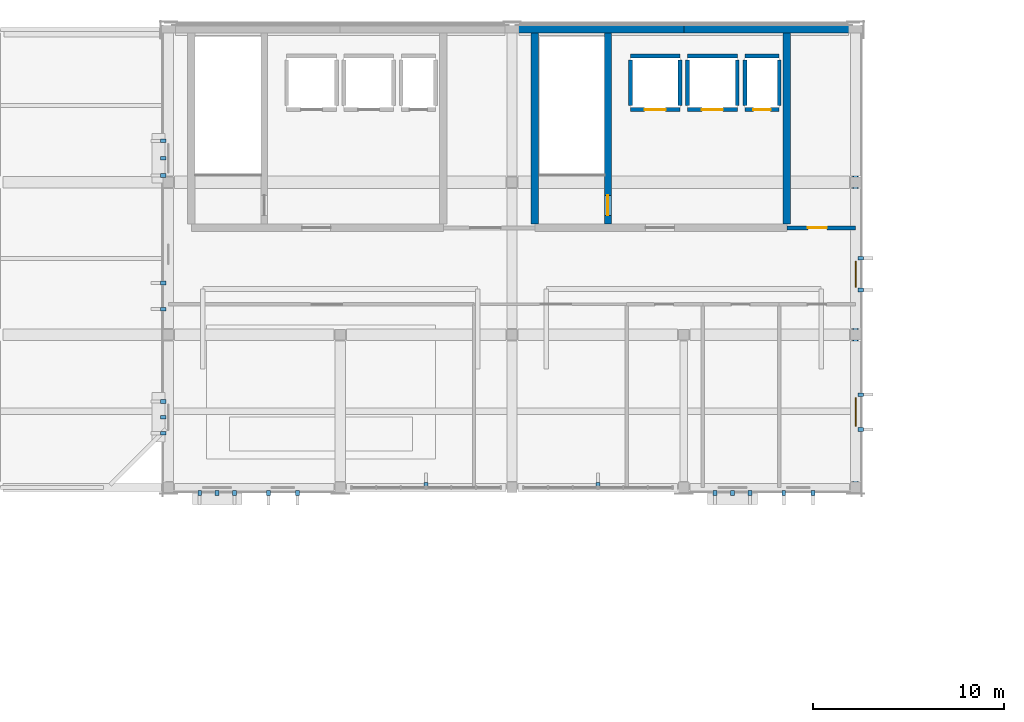
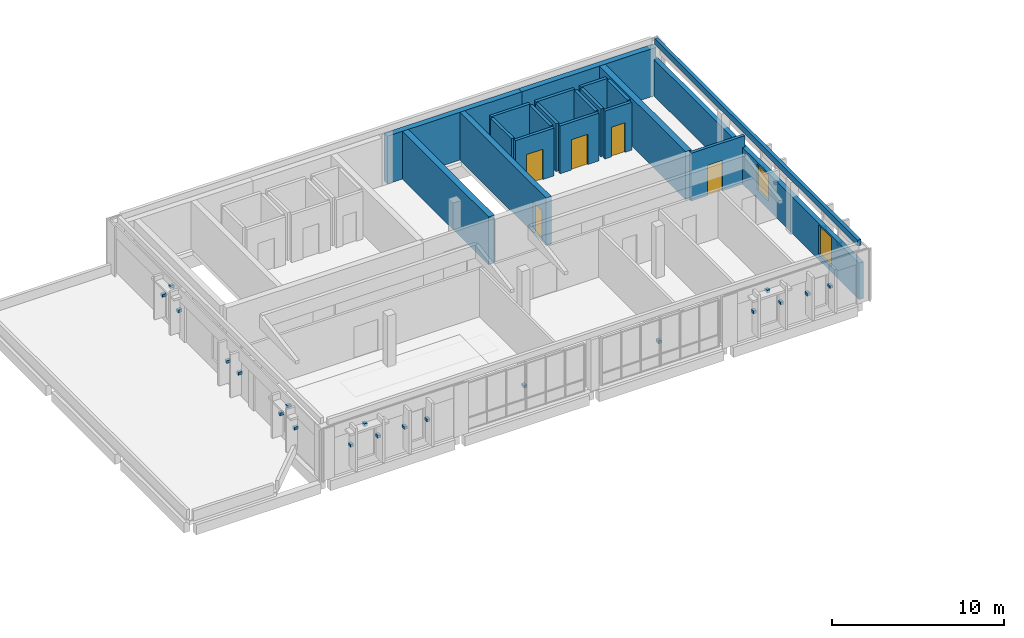
# One storey, part 9 of 12: 24 discrete accessories, 20 walls, 5 doors, 2 windows, 7 openings.
"""IFC4 building model written with IfcOpenShell, lengths in metres."""

import ifcopenshell
import ifcopenshell.guid

model = None  # the IFC model being written
_history = None  # IfcOwnerHistory: only IFC2X3 demands one
_inside = {}  # id of a spatial element -> (the spatial element, [elements in it])
_under = {}  # id of a project, library or spatial element -> (it, [spatial elements below it])
_declared = {}  # id of a project -> (the project, [libraries it declares])
_typed = {}  # id of a type object -> (the type object, [elements of that type])
_made_of = {}  # id of a material, layer set ... -> (it, [elements and type objects made of it])


def new_model(schema):
    """Start an empty IFC model of exactly this schema.

    Asked for "IFC4X3", IfcOpenShell would pick the latest addendum, in which some entities
    have other attributes; the version numbers below select the first issue.
    IFC2X3 requires an IfcOwnerHistory on every rooted entity: one is made here for all.
    """
    global model, _history
    if schema == "IFC4X3":
        model = ifcopenshell.file(schema_version=(4, 3, 0, 0))
    else:
        model = ifcopenshell.file(schema=schema)
    _inside.clear()
    _under.clear()
    _declared.clear()
    _typed.clear()
    _made_of.clear()
    _history = None
    if model.schema == "IFC2X3":
        org = make("IfcOrganization", Name="unknown")
        user = make(
            "IfcPersonAndOrganization",
            ThePerson=make("IfcPerson", FamilyName="unknown"),
            TheOrganization=org,
        )
        app = make(
            "IfcApplication",
            ApplicationDeveloper=org,
            Version="unknown",
            ApplicationFullName="unknown",
            ApplicationIdentifier="unknown",
        )
        _history = make(
            "IfcOwnerHistory",
            OwningUser=user,
            OwningApplication=app,
            ChangeAction="ADDED",
            CreationDate=0,
        )
    return model


def make(cls, **values):
    """One entity of the class cls with the attributes given. An attribute that is None is left unset."""
    return model.create_entity(
        cls, **{name: value for name, value in values.items() if value is not None}
    )


def rooted(cls, **values):
    """An entity with a GlobalId (a new one), such as an element, a storey or a relation."""
    return make(cls, GlobalId=ifcopenshell.guid.new(), OwnerHistory=_history, **values)


def si_unit(unit_type, name, prefix=None):
    """IfcSIUnit, for example si_unit("LENGTHUNIT", "METRE", prefix="MILLI")."""
    return make("IfcSIUnit", UnitType=unit_type, Prefix=prefix, Name=name)


def assignment(units):
    """IfcUnitAssignment: the units of a project."""
    return None if units is None else make("IfcUnitAssignment", Units=units)


def point(xyz):
    """IfcCartesianPoint."""
    return None if xyz is None else make("IfcCartesianPoint", Coordinates=xyz)


def direction(xyz):
    """IfcDirection."""
    return None if xyz is None else make("IfcDirection", DirectionRatios=xyz)


def frame(location, z_axis=None, x_axis=None):
    """IfcAxis2Placement3D, a coordinate frame: its origin and axes. An axis left out is left unset."""
    return make(
        "IfcAxis2Placement3D",
        Location=point(location),
        Axis=direction(z_axis),
        RefDirection=direction(x_axis),
    )


def frame_2d(location, x_axis=None):
    """IfcAxis2Placement2D, a coordinate frame in the plane: its origin and x axis."""
    return make(
        "IfcAxis2Placement2D", Location=point(location), RefDirection=direction(x_axis)
    )


def origin():
    """The frame at (0, 0, 0) with its axes left unset."""
    return frame((0.0, 0.0, 0.0))


def origin_2d():
    """The frame at (0, 0) in the plane with its x axis left unset."""
    return frame_2d((0.0, 0.0))


def place(relative_to, where):
    """IfcLocalPlacement: puts the frame where relative to a parent placement (None: the world)."""
    return make(
        "IfcLocalPlacement", PlacementRelTo=relative_to, RelativePlacement=where
    )


def context(
    kind, dimensions, precision=None, world=None, true_north=None, identifier=None
):
    """IfcGeometricRepresentationContext, for example the 3D "Model" context."""
    return make(
        "IfcGeometricRepresentationContext",
        ContextIdentifier=identifier,
        ContextType=kind,
        CoordinateSpaceDimension=dimensions,
        Precision=precision,
        WorldCoordinateSystem=world,
        TrueNorth=true_north,
    )


def subcontext(parent, identifier, kind, view, scale=None):
    """IfcGeometricRepresentationSubContext, for example "Body" below "Model"."""
    return make(
        "IfcGeometricRepresentationSubContext",
        ContextIdentifier=identifier,
        ContextType=kind,
        ParentContext=parent,
        TargetScale=scale,
        TargetView=view,
    )


def project(units=None, contexts=None):
    """IfcProject with its units and contexts."""
    return rooted(
        "IfcProject",
        Name="project",
        RepresentationContexts=contexts,
        UnitsInContext=assignment(units),
    )


def spatial(cls, under=None, at=None, **own):
    """A site, building, storey or space (cls), placed at a placement, below another one or the project."""
    s = rooted(cls, ObjectPlacement=at, **own)
    if under is not None:
        _under.setdefault(under.id(), (under, []))[1].append(s)
    return s


def profile(cls, at=None, kind="AREA", **sizes):
    """A parametric profile (cls). Its sizes go by their IFC names, for example OverallWidth=200.0."""
    return make(cls, ProfileType=kind, Position=at, **sizes)


def rectangle(**sizes):
    """IfcRectangleProfileDef."""
    return profile("IfcRectangleProfileDef", **sizes)


def extrude(swept, where, along, depth):
    """IfcExtrudedAreaSolid: the profile swept, set in the frame where, extruded along a direction by depth."""
    return make(
        "IfcExtrudedAreaSolid",
        SweptArea=swept,
        Position=where,
        ExtrudedDirection=direction(along),
        Depth=depth,
    )


def shape(context_of_items, identifier, shape_type, items):
    """IfcShapeRepresentation: the items that make up one representation, for example the "Body"."""
    return make(
        "IfcShapeRepresentation",
        ContextOfItems=context_of_items,
        RepresentationIdentifier=identifier,
        RepresentationType=shape_type,
        Items=items,
    )


def material(Name=None, Category=None):
    """IfcMaterial."""
    return make("IfcMaterial", Name=Name, Category=Category)


def layer(
    of_material, thickness, ventilated=None, Name=None, Category=None, Priority=None
):
    """IfcMaterialLayer: one layer of a wall or slab, of a material (None: an air gap)."""
    return make(
        "IfcMaterialLayer",
        Material=of_material,
        LayerThickness=thickness,
        IsVentilated=ventilated,
        Name=Name,
        Category=Category,
        Priority=Priority,
    )


def layer_set(layers, Name=None):
    """IfcMaterialLayerSet."""
    return make("IfcMaterialLayerSet", MaterialLayers=layers, LayerSetName=Name)


def made_of(thing, what):
    """Note that an element or type object is made of a material, layer set ...; save() writes the relation."""
    if what is not None:
        _made_of.setdefault(what.id(), (what, []))[1].append(thing)
    return thing


def type_object(cls, material=None, **own):
    """A type object (cls), such as IfcWallType, which elements share."""
    return made_of(rooted(cls, **own), material)


def element(
    cls,
    number,
    at=None,
    inside=None,
    cuts=None,
    type_object=None,
    material=None,
    context=None,
    identifier="Body",
    shape_type=None,
    held_by="IfcProductDefinitionShape",
    body=None,
    shapes=None,
    **own,
):
    """One element of the class cls, such as IfcWall. Its Tag is "e" and its number.

    at: its placement. inside: the storey or other place that contains it. cuts: it is an
    opening in that element (IfcRelVoidsElement). A single representation is given by context,
    identifier, shape_type and body (its items); several are given by shapes. held_by: the class
    of the entity that holds the representations. save() writes the other relations.
    """
    e = rooted(cls, Tag="e%d" % number, ObjectPlacement=at, **own)
    if body is not None:
        shapes = [shape(context, identifier, shape_type, body)]
    if shapes is not None:
        e.Representation = make(held_by, Representations=shapes)
    if inside is not None:
        _inside.setdefault(inside.id(), (inside, []))[1].append(e)
    if cuts is not None:
        rooted(
            "IfcRelVoidsElement", RelatingBuildingElement=cuts, RelatedOpeningElement=e
        )
    if type_object is not None:
        _typed.setdefault(type_object.id(), (type_object, []))[1].append(e)
    return made_of(e, material)


def fill(opening, filler):
    """IfcRelFillsElement: the door or window that sits in an opening."""
    return rooted(
        "IfcRelFillsElement",
        RelatingOpeningElement=opening,
        RelatedBuildingElement=filler,
    )


def aggregate(whole, parts):
    """IfcRelAggregates: a whole, such as a stair, and the parts it consists of."""
    return rooted("IfcRelAggregates", RelatingObject=whole, RelatedObjects=parts)


def save(model, path):
    """Write the relations noted so far, then the file.

    IfcRelAggregates (storeys below a building ...), IfcRelContainedInSpatialStructure (elements
    in a storey), IfcRelDefinesByType, IfcRelAssociatesMaterial and IfcRelDeclares: one each for
    every whole, place, type object, material and project.
    """
    for whole, parts in _under.values():
        aggregate(whole, parts)
    for where, things in _inside.values():
        rooted(
            "IfcRelContainedInSpatialStructure",
            RelatedElements=things,
            RelatingStructure=where,
        )
    for kind, things in _typed.values():
        rooted("IfcRelDefinesByType", RelatedObjects=things, RelatingType=kind)
    for what, things in _made_of.values():
        rooted("IfcRelAssociatesMaterial", RelatedObjects=things, RelatingMaterial=what)
    for by, libraries in _declared.values():
        rooted("IfcRelDeclares", RelatingContext=by, RelatedDefinitions=libraries)
    model.write(path)


model = new_model("IFC4")

# Units and contexts
model_context = context("Model", 3, precision=1e-05, world=origin(), true_north=direction((0.0, 1.0)))
body_context = subcontext(model_context, "Body", "Model", "MODEL_VIEW")
ifc_project = project(units=[si_unit("LENGTHUNIT", "METRE"), si_unit("AREAUNIT", "SQUARE_METRE"), si_unit("VOLUMEUNIT", "CUBIC_METRE"), si_unit("PLANEANGLEUNIT", "RADIAN"), si_unit("MASSUNIT", "GRAM", prefix="KILO")], contexts=[model_context])

# Site, building, storey
site_placement = place(None, origin())
site = spatial("IfcSite", under=ifc_project, at=site_placement, CompositionType="ELEMENT")
building_placement = place(site_placement, origin())
building = spatial("IfcBuilding", under=site, at=building_placement, Name="Vervanel Yard Central Library", CompositionType="ELEMENT")
storey_placement = place(building_placement, frame((0.0, 0.0, 20.260009765625)))
storey = spatial("IfcBuildingStorey", under=building, at=storey_placement, Name="L05", CompositionType="ELEMENT", Elevation=20.260009765625)

# Wall, openings, windows
ifc_material_1 = material(Name="Precast concrete C45/55", Category="concrete")
ifc_layer_1 = layer(ifc_material_1, 0.300048828125, Category="concrete")
ifc_layer_set_1 = layer_set([ifc_layer_1], Name="Precast concrete C45/55")
wall_type_1 = type_object("IfcWallType", Name="Bush-Hammered Precast Cladding Wall 300", PredefinedType="SOLIDWALL", material=ifc_layer_set_1)
wall_1_placement = place(storey_placement, frame((81.0, 90.0, 0.0), z_axis=(0.0, 0.0, 1.0), x_axis=(0.0, 1.0, 0.0)))
wall_1 = element("IfcWall", 1, at=wall_1_placement, inside=storey, type_object=wall_type_1, Name="L05 Bush-Hammered Precast Cladding Wall 300 EWALL-L05-0079", PredefinedType="SOLIDWALL", context=body_context, shape_type="SweptSolid", body=[
    extrude(rectangle(XDim=24.0, YDim=0.300048828125, at=frame_2d((12.0, 0.0))), origin(), (0.0, 0.0, 1.0), 2.5849609375),
])
opening_1_placement = place(wall_1_placement, frame((3.199951171875, 0.0, 0.364990234375)))
opening_1 = element("IfcOpeningElement", 2, at=opening_1_placement, cuts=wall_1, Name="Opening WN-02", PredefinedType="OPENING", context=body_context, shape_type="SweptSolid", body=[
    extrude(rectangle(XDim=1.5, YDim=2.10009765625, at=frame_2d((0.75, 1.050048828125))), frame((0.0, 0.159912109375, 0.0), z_axis=(0.0, -1.0, 0.0), x_axis=(1.0, 0.0, 0.0)), (0.0, 0.0, 1.0), 0.320068359375),
])
opening_2_placement = place(wall_1_placement, frame((10.5, 0.0, 0.614990234375)))
opening_2 = element("IfcOpeningElement", 3, at=opening_2_placement, cuts=wall_1, Name="Opening WN-17", PredefinedType="OPENING", context=body_context, shape_type="SweptSolid", body=[
    extrude(rectangle(XDim=1.35009765625, YDim=1.85009765625, at=frame_2d((0.675048828125, 0.925048828125))), frame((0.0, 0.159912109375, 0.0), z_axis=(0.0, -1.0, 0.0), x_axis=(1.0, 0.0, 0.0)), (0.0, 0.0, 1.0), 0.320068359375),
])
ifc_material_2 = material(Name="Double low-E laminated solar-control glass", Category="glass")
window_type_1 = type_object("IfcWindowType", Name="Archive Office Window 1350x1850", PartitioningType="SINGLE_PANEL", PredefinedType="WINDOW", material=ifc_material_2)
window_1_placement = place(opening_2_placement, origin())
window_1 = element("IfcWindow", 4, at=window_1_placement, inside=storey, type_object=window_type_1, Name="L05 Archive Office Window 1350x1850 108", OverallHeight=1.85009765625, OverallWidth=1.35009765625, PartitioningType="SINGLE_PANEL", PredefinedType="WINDOW", context=body_context, shape_type="SweptSolid", body=[
    extrude(rectangle(XDim=1.35009765625, YDim=1.85009765625, at=frame_2d((0.675048828125, 0.925048828125))), frame((0.0, 0.030029296875, 0.0), z_axis=(0.0, -1.0, 0.0), x_axis=(1.0, 0.0, 0.0)), (0.0, 0.0, 1.0), 0.06005859375),
])
fill(opening_2, window_1)
window_type_2 = type_object("IfcWindowType", Name="Reading Bay Window 1500x2100", PartitioningType="SINGLE_PANEL", PredefinedType="WINDOW", material=ifc_material_2)
window_2_placement = place(opening_1_placement, origin())
window_2 = element("IfcWindow", 5, at=window_2_placement, inside=storey, type_object=window_type_2, Name="L05 Reading Bay Window 1500x2100 107", OverallHeight=2.10009765625, OverallWidth=1.5, PartitioningType="SINGLE_PANEL", PredefinedType="WINDOW", context=body_context, shape_type="SweptSolid", body=[
    extrude(rectangle(XDim=1.5, YDim=2.10009765625, at=frame_2d((0.75, 1.050048828125))), frame((0.0, 0.030029296875, 0.0), z_axis=(0.0, -1.0, 0.0), x_axis=(1.0, 0.0, 0.0)), (0.0, 0.0, 1.0), 0.06005859375),
])
fill(opening_1, window_2)

# Walls
ifc_material_3 = material(Name="Concrete C45/55", Category="concrete")
ifc_layer_2 = layer(ifc_material_3, 0.39990234375, Category="concrete")
ifc_layer_set_2 = layer_set([ifc_layer_2], Name="Concrete C45/55")
wall_type_2 = type_object("IfcWallType", Name="Core Primary Shear Wall 400", PredefinedType="SHEAR", material=ifc_layer_set_2)
for number, where, z_axis, x_axis, name in (
    (6, (64.199951171875, 103.800048828125, 0.0), (0.0, 0.0, 1.0), (0.0, 1.0, 0.0), "L05 CORE-B Shear Wall W"),
    (7, (77.39990234375, 103.800048828125, 0.0), (0.0, 0.0, 1.0), (0.0, 1.0, 0.0), "L05 CORE-B Shear Wall E"),
):
    element("IfcWall", number, at=place(storey_placement, frame(where, z_axis=z_axis, x_axis=x_axis)), inside=storey, type_object=wall_type_2, Name=name, PredefinedType="SHEAR", context=body_context, shape_type="SweptSolid", body=[
        extrude(rectangle(XDim=10.010009765625, YDim=0.39990234375, at=frame_2d((5.0048828125, 0.0))), origin(), (0.0, 0.0, 1.0), 3.389892578125),
    ])

# Wall, opening, door
ifc_layer_3 = layer(ifc_material_3, 0.35009765625, Category="concrete")
ifc_layer_set_3 = layer_set([ifc_layer_3], Name="Concrete C45/55")
wall_type_3 = type_object("IfcWallType", Name="Core Secondary Shear Wall 350", PredefinedType="SHEAR", material=ifc_layer_set_3)
wall_2_placement = place(storey_placement, frame((68.02490234375, 103.800048828125, 0.0), z_axis=(0.0, 0.0, 1.0), x_axis=(0.0, 1.0, 0.0)))
wall_2 = element("IfcWall", 8, at=wall_2_placement, inside=storey, type_object=wall_type_3, Name="L05 CORE-B Stair Shaft Wall", PredefinedType="SHEAR", context=body_context, shape_type="SweptSolid", body=[
    extrude(rectangle(XDim=10.010009765625, YDim=0.35009765625, at=frame_2d((5.0048828125, 0.0))), origin(), (0.0, 0.0, 1.0), 3.389892578125),
])
opening_3_placement = place(wall_2_placement, frame((0.449951171875, 0.0, 0.0)))
opening_3 = element("IfcOpeningElement", 9, at=opening_3_placement, cuts=wall_2, Name="Opening DR-F01", PredefinedType="OPENING", context=body_context, shape_type="SweptSolid", body=[
    extrude(rectangle(XDim=1.050048828125, YDim=2.199951171875, at=frame_2d((0.52490234375, 1.10009765625))), frame((0.0, 0.18505859375, 0.0), z_axis=(0.0, -1.0, 0.0), x_axis=(1.0, 0.0, 0.0)), (0.0, 0.0, 1.0), 0.3701171875),
])
ifc_material_4 = material(Name="Galvanized painted steelwork ASTM A500 Grade C", Category="steel")
door_type_1 = type_object("IfcDoorType", Name="Fire-Rated Stair Exit Door 1050x2200", OperationType="NOTDEFINED", PredefinedType="DOOR", material=ifc_material_4)
door_1_placement = place(opening_3_placement, origin())
door_1 = element("IfcDoor", 10, at=door_1_placement, inside=storey, type_object=door_type_1, Name="L05 CORE-B Stair Door", OperationType="SINGLE_SWING_RIGHT", OverallHeight=2.199951171875, OverallWidth=1.050048828125, PredefinedType="DOOR", context=body_context, shape_type="SweptSolid", body=[
    extrude(rectangle(XDim=1.050048828125, YDim=2.199951171875, at=frame_2d((0.52490234375, 1.10009765625))), frame((0.0, 0.02490234375, 0.0), z_axis=(0.0, -1.0, 0.0), x_axis=(1.0, 0.0, 0.0)), (0.0, 0.0, 1.0), 0.050048828125),
])
fill(opening_3, door_1)

# Walls
ifc_layer_4 = layer(ifc_material_3, 0.3798828125, Category="concrete")
ifc_layer_set_4 = layer_set([ifc_layer_4], Name="Concrete C45/55")
wall_type_4 = type_object("IfcWallType", Name="Exterior Bearing Concrete Spine Wall 380", PredefinedType="SOLIDWALL", material=ifc_layer_set_4)
for number, where, z_axis, x_axis, name in (
    (11, (63.0, 114.0, 0.0), (0.0, 0.0, 1.0), (1.0, 0.0, 0.0), "L05 Exterior Bearing Concrete Spine Wall 380 EWALL-L05-0074"),
    (12, (72.0, 114.0, 0.0), (0.0, 0.0, 1.0), (1.0, 0.0, 0.0), "L05 Exterior Bearing Concrete Spine Wall 380 EWALL-L05-0075"),
):
    element("IfcWall", number, at=place(storey_placement, frame(where, z_axis=z_axis, x_axis=x_axis)), inside=storey, type_object=wall_type_4, Name=name, PredefinedType="SOLIDWALL", context=body_context, shape_type="SweptSolid", body=[
        extrude(rectangle(XDim=9.0, YDim=0.3798828125, at=frame_2d((4.5, 0.0))), origin(), (0.0, 0.0, 1.0), 3.389892578125),
    ])
ifc_material_5 = material(Name="Concrete C40/50", Category="concrete")
ifc_layer_5 = layer(ifc_material_5, 0.219970703125, Category="concrete")
ifc_layer_set_5 = layer_set([ifc_layer_5], Name="Concrete C40/50")
wall_type_5 = type_object("IfcWallType", Name="Main Roof Concrete Parapet 220", PredefinedType="PARAPET", material=ifc_layer_set_5)
wall_3_placement = place(storey_placement, frame((81.0, 90.219970703125, 3.639892578125), z_axis=(0.0, 0.0, 1.0), x_axis=(0.0, 1.0, 0.0)))
element("IfcWall", 13, at=wall_3_placement, inside=storey, type_object=wall_type_5, Name="RF Roof Parapet 43", PredefinedType="PARAPET", context=body_context, shape_type="SweptSolid", body=[
    extrude(rectangle(XDim=23.56005859375, YDim=0.219970703125, at=frame_2d((11.780029296875, 0.0))), origin(), (0.0, 0.0, 1.0), 0.420166015625),
])

# Wall, opening, door
ifc_layer_6 = layer(ifc_material_5, 0.199951171875, Category="concrete")
ifc_layer_set_6 = layer_set([ifc_layer_6], Name="Concrete C40/50")
wall_type_6 = type_object("IfcWallType", Name="Shaft & Plant Rated Wall 200", PredefinedType="PARTITIONING", material=ifc_layer_set_6)
wall_4_placement = place(storey_placement, frame((69.199951171875, 109.800048828125, 0.0), z_axis=(0.0, 0.0, 1.0), x_axis=(1.0, 0.0, 0.0)))
wall_4 = element("IfcWall", 14, at=wall_4_placement, inside=storey, type_object=wall_type_6, Name="L05 CORE-B-L05-EL-03 Shaft Wall S", PredefinedType="PARTITIONING", context=body_context, shape_type="SweptSolid", body=[
    extrude(rectangle(XDim=2.60009765625, YDim=0.199951171875, at=frame_2d((1.300048828125, 0.0))), origin(), (0.0, 0.0, 1.0), 3.389892578125),
])
opening_4_placement = place(wall_4_placement, frame((0.75, 0.0, 0.0)))
opening_4 = element("IfcOpeningElement", 15, at=opening_4_placement, cuts=wall_4, Name="Opening LD-01", PredefinedType="OPENING", context=body_context, shape_type="SweptSolid", body=[
    extrude(rectangle(XDim=1.10009765625, YDim=2.14990234375, at=frame_2d((0.550048828125, 1.074951171875))), frame((0.0, 0.10986328125, 0.0), z_axis=(0.0, -1.0, 0.0), x_axis=(1.0, 0.0, 0.0)), (0.0, 0.0, 1.0), 0.219970703125),
])
ifc_material_6 = material(Name="Brushed stainless steel AISI 316", Category="steel")
door_type_2 = type_object("IfcDoorType", Name="Passenger Lift Sliding Landing Door 1100x2150", OperationType="NOTDEFINED", PredefinedType="DOOR", material=ifc_material_6)
door_2_placement = place(opening_4_placement, origin())
door_2 = element("IfcDoor", 16, at=door_2_placement, inside=storey, type_object=door_type_2, Name="L05 Lift EL-03 Landing Door", OperationType="SLIDING_TO_LEFT", OverallHeight=2.14990234375, OverallWidth=1.10009765625, PredefinedType="DOOR", context=body_context, shape_type="SweptSolid", body=[
    extrude(rectangle(XDim=1.10009765625, YDim=2.14990234375, at=frame_2d((0.550048828125, 1.074951171875))), frame((0.0, 0.02490234375, 0.0), z_axis=(0.0, -1.0, 0.0), x_axis=(1.0, 0.0, 0.0)), (0.0, 0.0, 1.0), 0.050048828125),
])
fill(opening_4, door_2)

# Walls
wall_5_placement = place(storey_placement, frame((69.199951171875, 112.60009765625, 0.0), z_axis=(0.0, 0.0, 1.0), x_axis=(1.0, 0.0, 0.0)))
element("IfcWall", 17, at=wall_5_placement, inside=storey, type_object=wall_type_6, Name="L05 CORE-B-L05-EL-03 Shaft Wall N", PredefinedType="PARTITIONING", context=body_context, shape_type="SweptSolid", body=[
    extrude(rectangle(XDim=2.60009765625, YDim=0.199951171875, at=frame_2d((1.300048828125, 0.0))), origin(), (0.0, 0.0, 1.0), 3.389892578125),
])
for number, where, z_axis, x_axis, name in (
    (18, (69.199951171875, 110.0, 0.0), (0.0, 0.0, 1.0), (0.0, 1.0, 0.0), "L05 CORE-B-L05-EL-03 Shaft Wall W"),
    (19, (71.800048828125, 110.0, 0.0), (0.0, 0.0, 1.0), (0.0, 1.0, 0.0), "L05 CORE-B-L05-EL-03 Shaft Wall E"),
):
    element("IfcWall", number, at=place(storey_placement, frame(where, z_axis=z_axis, x_axis=x_axis)), inside=storey, type_object=wall_type_6, Name=name, PredefinedType="PARTITIONING", context=body_context, shape_type="SweptSolid", body=[
        extrude(rectangle(XDim=2.39990234375, YDim=0.199951171875, at=frame_2d((1.199951171875, 0.0))), origin(), (0.0, 0.0, 1.0), 3.389892578125),
    ])

# Wall, opening, door
wall_6_placement = place(storey_placement, frame((72.199951171875, 109.800048828125, 0.0), z_axis=(0.0, 0.0, 1.0), x_axis=(1.0, 0.0, 0.0)))
wall_6 = element("IfcWall", 20, at=wall_6_placement, inside=storey, type_object=wall_type_6, Name="L05 CORE-B-L05-EL-04 Shaft Wall S", PredefinedType="PARTITIONING", context=body_context, shape_type="SweptSolid", body=[
    extrude(rectangle(XDim=2.60009765625, YDim=0.199951171875, at=frame_2d((1.300048828125, 0.0))), origin(), (0.0, 0.0, 1.0), 3.389892578125),
])
opening_5_placement = place(wall_6_placement, frame((0.75, 0.0, 0.0)))
opening_5 = element("IfcOpeningElement", 21, at=opening_5_placement, cuts=wall_6, Name="Opening LD-01", PredefinedType="OPENING", context=body_context, shape_type="SweptSolid", body=[
    extrude(rectangle(XDim=1.10009765625, YDim=2.14990234375, at=frame_2d((0.550048828125, 1.074951171875))), frame((0.0, 0.10986328125, 0.0), z_axis=(0.0, -1.0, 0.0), x_axis=(1.0, 0.0, 0.0)), (0.0, 0.0, 1.0), 0.219970703125),
])
door_3_placement = place(opening_5_placement, origin())
door_3 = element("IfcDoor", 22, at=door_3_placement, inside=storey, type_object=door_type_2, Name="L05 Lift EL-04 Landing Door", OperationType="SLIDING_TO_RIGHT", OverallHeight=2.14990234375, OverallWidth=1.10009765625, PredefinedType="DOOR", context=body_context, shape_type="SweptSolid", body=[
    extrude(rectangle(XDim=1.10009765625, YDim=2.14990234375, at=frame_2d((0.550048828125, 1.074951171875))), frame((0.0, 0.02490234375, 0.0), z_axis=(0.0, -1.0, 0.0), x_axis=(1.0, 0.0, 0.0)), (0.0, 0.0, 1.0), 0.050048828125),
])
fill(opening_5, door_3)

# Walls
wall_7_placement = place(storey_placement, frame((72.199951171875, 112.60009765625, 0.0), z_axis=(0.0, 0.0, 1.0), x_axis=(1.0, 0.0, 0.0)))
element("IfcWall", 23, at=wall_7_placement, inside=storey, type_object=wall_type_6, Name="L05 CORE-B-L05-EL-04 Shaft Wall N", PredefinedType="PARTITIONING", context=body_context, shape_type="SweptSolid", body=[
    extrude(rectangle(XDim=2.60009765625, YDim=0.199951171875, at=frame_2d((1.300048828125, 0.0))), origin(), (0.0, 0.0, 1.0), 3.389892578125),
])
for number, where, z_axis, x_axis, name in (
    (24, (72.199951171875, 110.0, 0.0), (0.0, 0.0, 1.0), (0.0, 1.0, 0.0), "L05 CORE-B-L05-EL-04 Shaft Wall W"),
    (25, (74.800048828125, 110.0, 0.0), (0.0, 0.0, 1.0), (0.0, 1.0, 0.0), "L05 CORE-B-L05-EL-04 Shaft Wall E"),
):
    element("IfcWall", number, at=place(storey_placement, frame(where, z_axis=z_axis, x_axis=x_axis)), inside=storey, type_object=wall_type_6, Name=name, PredefinedType="PARTITIONING", context=body_context, shape_type="SweptSolid", body=[
        extrude(rectangle(XDim=2.39990234375, YDim=0.199951171875, at=frame_2d((1.199951171875, 0.0))), origin(), (0.0, 0.0, 1.0), 3.389892578125),
    ])

# Wall, opening, door
wall_8_placement = place(storey_placement, frame((75.199951171875, 109.800048828125, 0.0), z_axis=(0.0, 0.0, 1.0), x_axis=(1.0, 0.0, 0.0)))
wall_8 = element("IfcWall", 26, at=wall_8_placement, inside=storey, type_object=wall_type_6, Name="L05 CORE-B-L05-RIS Shaft Wall S", PredefinedType="PARTITIONING", context=body_context, shape_type="SweptSolid", body=[
    extrude(rectangle(XDim=1.800048828125, YDim=0.199951171875, at=frame_2d((0.89990234375, 0.0))), origin(), (0.0, 0.0, 1.0), 3.389892578125),
])
opening_6_placement = place(wall_8_placement, frame((0.449951171875, 0.0, 0.0)))
opening_6 = element("IfcOpeningElement", 27, at=opening_6_placement, cuts=wall_8, Name="Opening DR-03", PredefinedType="OPENING", context=body_context, shape_type="SweptSolid", body=[
    extrude(rectangle(XDim=0.89990234375, YDim=2.10009765625, at=frame_2d((0.449951171875, 1.050048828125))), frame((0.0, 0.10986328125, 0.0), z_axis=(0.0, -1.0, 0.0), x_axis=(1.0, 0.0, 0.0)), (0.0, 0.0, 1.0), 0.219970703125),
])
door_type_3 = type_object("IfcDoorType", Name="Interior Riser Access Door 900x2100", OperationType="NOTDEFINED", PredefinedType="DOOR", material=ifc_material_4)
door_4_placement = place(opening_6_placement, origin())
door_4 = element("IfcDoor", 28, at=door_4_placement, inside=storey, type_object=door_type_3, Name="L05 CORE-B Riser Access Door", OperationType="SINGLE_SWING_RIGHT", OverallHeight=2.10009765625, OverallWidth=0.89990234375, PredefinedType="DOOR", context=body_context, shape_type="SweptSolid", body=[
    extrude(rectangle(XDim=0.89990234375, YDim=2.10009765625, at=frame_2d((0.449951171875, 1.050048828125))), frame((0.0, 0.02490234375, 0.0), z_axis=(0.0, -1.0, 0.0), x_axis=(1.0, 0.0, 0.0)), (0.0, 0.0, 1.0), 0.050048828125),
])
fill(opening_6, door_4)

# Walls
wall_9_placement = place(storey_placement, frame((75.199951171875, 112.60009765625, 0.0), z_axis=(0.0, 0.0, 1.0), x_axis=(1.0, 0.0, 0.0)))
element("IfcWall", 29, at=wall_9_placement, inside=storey, type_object=wall_type_6, Name="L05 CORE-B-L05-RIS Shaft Wall N", PredefinedType="PARTITIONING", context=body_context, shape_type="SweptSolid", body=[
    extrude(rectangle(XDim=1.800048828125, YDim=0.199951171875, at=frame_2d((0.89990234375, 0.0))), origin(), (0.0, 0.0, 1.0), 3.389892578125),
])
for number, where, z_axis, x_axis, name in (
    (30, (75.199951171875, 110.0, 0.0), (0.0, 0.0, 1.0), (0.0, 1.0, 0.0), "L05 CORE-B-L05-RIS Shaft Wall W"),
    (31, (77.0, 110.0, 0.0), (0.0, 0.0, 1.0), (0.0, 1.0, 0.0), "L05 CORE-B-L05-RIS Shaft Wall E"),
):
    element("IfcWall", number, at=place(storey_placement, frame(where, z_axis=z_axis, x_axis=x_axis)), inside=storey, type_object=wall_type_6, Name=name, PredefinedType="PARTITIONING", context=body_context, shape_type="SweptSolid", body=[
        extrude(rectangle(XDim=2.39990234375, YDim=0.199951171875, at=frame_2d((1.199951171875, 0.0))), origin(), (0.0, 0.0, 1.0), 3.389892578125),
    ])

# Wall, opening, door
wall_10_placement = place(storey_placement, frame((77.39990234375, 103.60009765625, 0.0), z_axis=(0.0, 0.0, 1.0), x_axis=(1.0, 0.0, 0.0)))
wall_10 = element("IfcWall", 32, at=wall_10_placement, inside=storey, type_object=wall_type_6, Name="L05 Shaft & Plant Rated Wall 200 IPART-L05-0133", PredefinedType="PARTITIONING", context=body_context, shape_type="SweptSolid", body=[
    extrude(rectangle(XDim=3.60009765625, YDim=0.199951171875, at=frame_2d((1.800048828125, 0.0))), origin(), (0.0, 0.0, 1.0), 3.389892578125),
])
opening_7_placement = place(wall_10_placement, frame((1.10009765625, 0.0, 0.0)))
opening_7 = element("IfcOpeningElement", 33, at=opening_7_placement, cuts=wall_10, Name="Opening DR-01", PredefinedType="OPENING", context=body_context, shape_type="SweptSolid", body=[
    extrude(rectangle(XDim=1.0, YDim=2.14990234375, at=frame_2d((0.5, 1.074951171875))), frame((0.0, 0.10986328125, 0.0), z_axis=(0.0, -1.0, 0.0), x_axis=(1.0, 0.0, 0.0)), (0.0, 0.0, 1.0), 0.219970703125),
])
ifc_material_7 = material(Name="Solid white oak acoustic joinery", Category="wood")
door_type_4 = type_object("IfcDoorType", Name="Interior Single Door 1000x2150", OperationType="NOTDEFINED", PredefinedType="DOOR", material=ifc_material_7)
door_5_placement = place(opening_7_placement, origin())
door_5 = element("IfcDoor", 34, at=door_5_placement, inside=storey, type_object=door_type_4, Name="L05 Interior Single Door 1000x2150 IDOOR-L05-0102", OperationType="SINGLE_SWING_LEFT", OverallHeight=2.14990234375, OverallWidth=1.0, PredefinedType="DOOR", context=body_context, shape_type="SweptSolid", body=[
    extrude(rectangle(XDim=1.0, YDim=2.14990234375, at=frame_2d((0.5, 1.074951171875))), frame((0.0, 0.02490234375, 0.0), z_axis=(0.0, -1.0, 0.0), x_axis=(1.0, 0.0, 0.0)), (0.0, 0.0, 1.0), 0.050048828125),
])
fill(opening_7, door_5)

# Discrete accessories
ifc_material_8 = material(Name="Steel ASTM A572 Grade 50", Category="steel")
discrete_accessory_type = type_object("IfcDiscreteAccessoryType", Name="Stainless Solar Fin Fixing Bracket", PredefinedType="BRACKET", material=ifc_material_8)
for number, where, z_axis, x_axis, name in (
    (35, (46.639892578125, 89.7099609375, 1.7998046875), (0.0, 0.0, 1.0), (1.0, 0.0, 0.0), "L05 Solar Fin Bracket 205"),
    (36, (48.4599609375, 89.7099609375, 1.7998046875), (0.0, 0.0, 1.0), (1.0, 0.0, 0.0), "L05 Solar Fin Bracket 206"),
    (37, (47.550048828125, 89.7099609375, 2.9501953125), (0.0, 0.0, 1.0), (1.0, 0.0, 0.0), "L05 Sunhood Bracket 32"),
    (38, (50.239990234375, 89.7099609375, 1.7998046875), (0.0, 0.0, 1.0), (1.0, 0.0, 0.0), "L05 Solar Fin Bracket 207"),
    (39, (51.760009765625, 89.7099609375, 1.7998046875), (0.0, 0.0, 1.0), (1.0, 0.0, 0.0), "L05 Solar Fin Bracket 208"),
    (40, (58.5, 90.1298828125, 1.5849609375), (0.0, 0.0, 1.0), (1.0, 0.0, 0.0), "L05 Solar Fin Bracket 209"),
    (41, (67.5, 90.1298828125, 1.5849609375), (0.0, 0.0, 1.0), (1.0, 0.0, 0.0), "L05 Solar Fin Bracket 210"),
    (42, (73.639892578125, 89.7099609375, 1.7998046875), (0.0, 0.0, 1.0), (1.0, 0.0, 0.0), "L05 Solar Fin Bracket 211"),
    (43, (75.4599609375, 89.7099609375, 1.7998046875), (0.0, 0.0, 1.0), (1.0, 0.0, 0.0), "L05 Solar Fin Bracket 212"),
    (44, (74.550048828125, 89.7099609375, 2.9501953125), (0.0, 0.0, 1.0), (1.0, 0.0, 0.0), "L05 Sunhood Bracket 33"),
    (45, (77.239990234375, 89.7099609375, 1.7998046875), (0.0, 0.0, 1.0), (1.0, 0.0, 0.0), "L05 Solar Fin Bracket 213"),
    (46, (78.760009765625, 89.7099609375, 1.7998046875), (0.0, 0.0, 1.0), (1.0, 0.0, 0.0), "L05 Solar Fin Bracket 214"),
    (47, (44.72998046875, 92.840087890625, 1.77490234375), (0.0, 0.0, 1.0), (0.0, 1.0, 0.0), "L05 Solar Fin Bracket 215"),
    (48, (44.72998046875, 94.510009765625, 1.77490234375), (0.0, 0.0, 1.0), (0.0, 1.0, 0.0), "L05 Solar Fin Bracket 216"),
    (49, (44.72998046875, 93.675048828125, 2.7998046875), (0.0, 0.0, 1.0), (0.0, 1.0, 0.0), "L05 Sunhood Bracket 34"),
    (50, (44.72998046875, 99.340087890625, 1.72509765625), (0.0, 0.0, 1.0), (0.0, 1.0, 0.0), "L05 Solar Fin Bracket 217"),
    (51, (44.72998046875, 100.7099609375, 1.72509765625), (0.0, 0.0, 1.0), (0.0, 1.0, 0.0), "L05 Solar Fin Bracket 218"),
    (52, (44.72998046875, 106.340087890625, 1.89990234375), (0.0, 0.0, 1.0), (0.0, 1.0, 0.0), "L05 Solar Fin Bracket 219"),
    (53, (44.72998046875, 108.159912109375, 1.89990234375), (0.0, 0.0, 1.0), (0.0, 1.0, 0.0), "L05 Solar Fin Bracket 220"),
    (54, (44.72998046875, 107.25, 3.0498046875), (0.0, 0.0, 1.0), (0.0, 1.0, 0.0), "L05 Sunhood Bracket 35"),
    (55, (81.27001953125, 93.0400390625, 1.89990234375), (0.0, 0.0, 1.0), (0.0, 1.0, 0.0), "L05 Solar Fin Bracket 221"),
    (56, (81.27001953125, 94.860107421875, 1.89990234375), (0.0, 0.0, 1.0), (0.0, 1.0, 0.0), "L05 Solar Fin Bracket 222"),
    (57, (81.27001953125, 100.340087890625, 1.77490234375), (0.0, 0.0, 1.0), (0.0, 1.0, 0.0), "L05 Solar Fin Bracket 223"),
    (58, (81.27001953125, 102.010009765625, 1.77490234375), (0.0, 0.0, 1.0), (0.0, 1.0, 0.0), "L05 Solar Fin Bracket 224"),
):
    element("IfcDiscreteAccessory", number, at=place(storey_placement, frame(where, z_axis=z_axis, x_axis=x_axis)), inside=storey, type_object=discrete_accessory_type, Name=name, PredefinedType="BRACKET", context=body_context, shape_type="SweptSolid", body=[
        extrude(rectangle(XDim=0.199951171875, YDim=0.280029296875, at=origin_2d()), origin(), (0.0, 0.0, 1.0), 0.199951171875),
    ])

save(model, "model.ifc")
